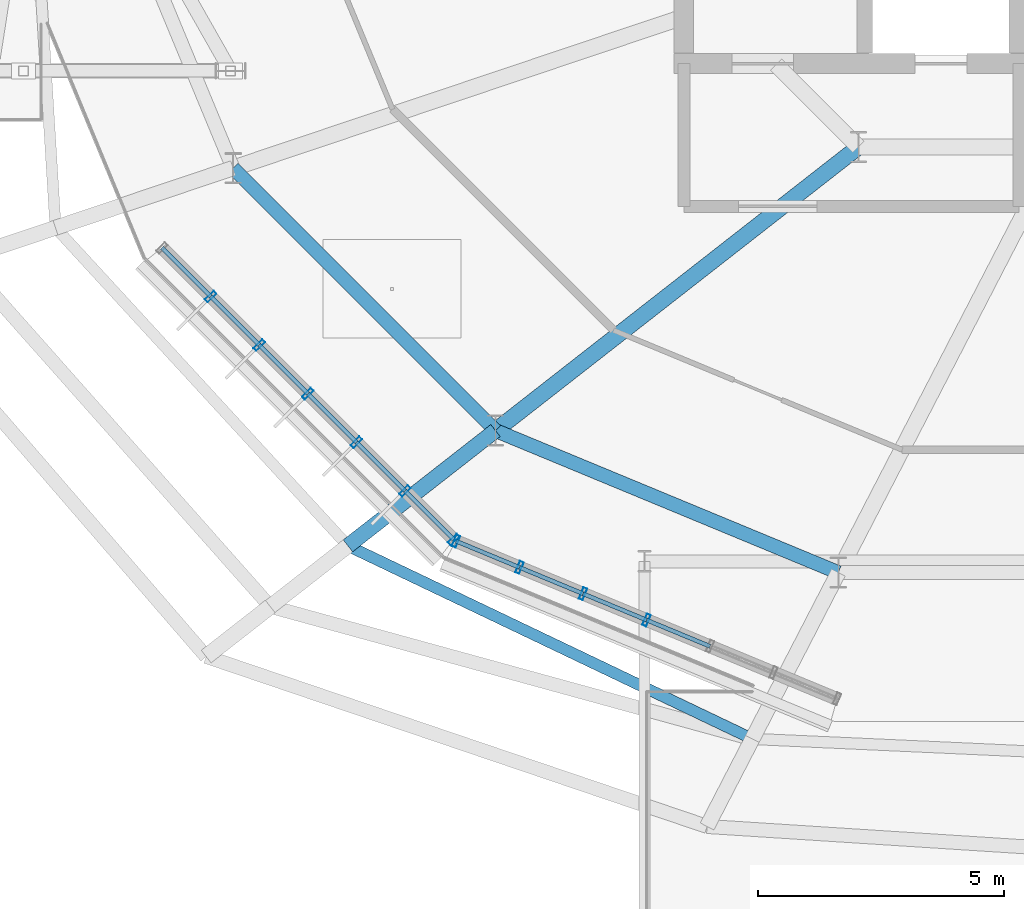
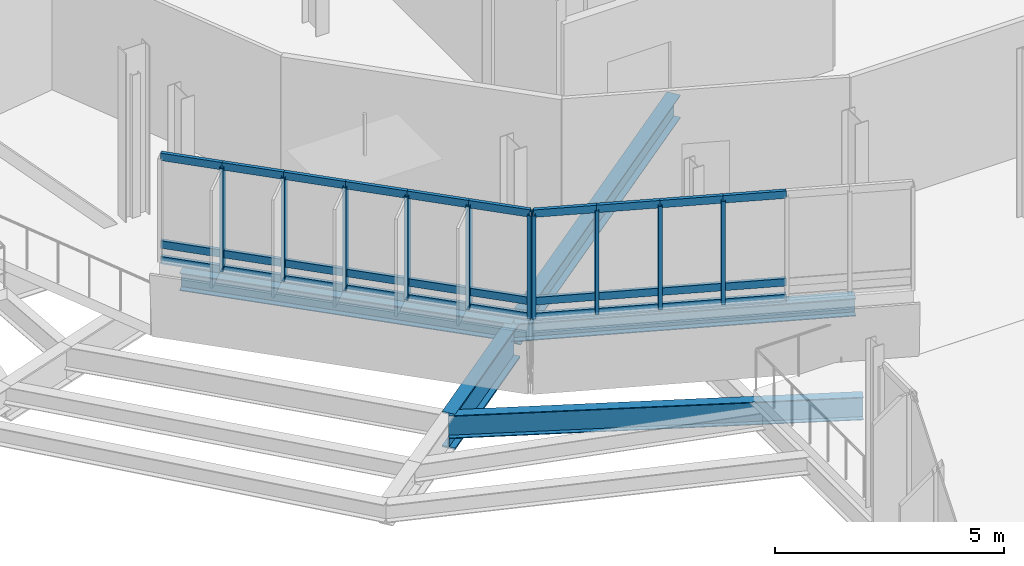
# One storey, part 27 of 139: 40 members, 5 beams, 2 elements without a shape of their own.
"""IFC4 building model written with IfcOpenShell, lengths in metres."""

from ifc_helpers import new_model, si_unit, derived_unit, direction, frame, origin, origin_2d, place, context, subcontext, project, spatial, hollow_rectangle, i_section, extrude, material, layer, layer_set, material_profile, profile_set, type_object, element, aggregate, save


model = new_model("IFC4")

# Units and contexts
model_context = context("Model", 3, precision=1e-05, world=origin(), true_north=direction((0.0, 1.0)))
body_context = subcontext(model_context, "Body", "Model", "MODEL_VIEW")
ifc_project = project(units=[si_unit("LENGTHUNIT", "METRE"), si_unit("AREAUNIT", "SQUARE_METRE"), si_unit("VOLUMEUNIT", "CUBIC_METRE"), si_unit("PLANEANGLEUNIT", "RADIAN"), si_unit("MASSUNIT", "GRAM", prefix="KILO"), derived_unit("THERMALTRANSMITTANCEUNIT", [(si_unit("MASSUNIT", "GRAM", prefix="KILO"), 1), (si_unit("TIMEUNIT", "SECOND"), -3), (si_unit("THERMODYNAMICTEMPERATUREUNIT", "KELVIN"), -1)])], contexts=[model_context])

# Site, building, storey
site_placement = place(None, origin())
site = spatial("IfcSite", under=ifc_project, at=site_placement, CompositionType="ELEMENT")
building_placement = place(site_placement, origin())
building = spatial("IfcBuilding", under=site, at=building_placement, Name="Makaiwela Harbour Ferry Terminal", CompositionType="ELEMENT")
storey_placement = place(building_placement, frame((0.0, 0.0, 5.10009765625)))
storey = spatial("IfcBuildingStorey", under=building, at=storey_placement, Name="L01", CompositionType="ELEMENT", Elevation=5.10009765625)

# Curtain wall, members
ifc_material_1 = material(Name="Marine anodised aluminium 6063-T6", Category="aluminium")
ifc_layer = layer(ifc_material_1, 0.199951171875)
ifc_layer_set = layer_set([ifc_layer], Name="Marine anodised aluminium 6063-T6")
curtain_wall_type = type_object("IfcCurtainWallType", Name="ENV-CW-03", PredefinedType="USERDEFINED", material=ifc_layer_set)
curtain_wall_1_placement = place(storey_placement, origin())
curtain_wall_1 = element("IfcCurtainWall", 1, at=curtain_wall_1_placement, inside=storey, type_object=curtain_wall_type, Name="Unitised Curtain Wall CWA-016", ObjectType="UNITIZED CURTAIN WALL", PredefinedType="USERDEFINED")
ifc_material_profile_1 = material_profile(ifc_material_1, hollow_rectangle(XDim=0.0849609375, YDim=0.25, WallThickness=0.0048828125, at=origin_2d()), Name="CWM-250X85")
ifc_profile_set_1 = profile_set([ifc_material_profile_1], Name="Marine anodised aluminium 6063-T6")
member_type_1 = type_object("IfcMemberType", Name="CW-MUL-250", PredefinedType="MULLION", material=ifc_profile_set_1)
member_1_placement = place(storey_placement, frame((20.59765625, 54.772216796875, 1.47998046875), z_axis=(0.0, 0.0, 1.0), x_axis=(-0.707106781187, 0.707106781187, 0.0)))
member_1 = element("IfcMember", 2, at=member_1_placement, type_object=member_type_1, Name="Curtain Wall Mullion CWA-016-2", PredefinedType="MULLION", context=body_context, shape_type="SweptSolid", body=[
    extrude(hollow_rectangle(XDim=0.0849609375, YDim=0.25, WallThickness=0.0048828125, at=origin_2d()), origin(), (0.0, 0.0, 1.0), 2.760009765625),
])
member_2_placement = place(storey_placement, frame((21.583740234375, 53.7861328125, 1.47998046875), z_axis=(0.0, 0.0, 1.0), x_axis=(-0.707106781187, 0.707106781187, 0.0)))
member_2 = element("IfcMember", 3, at=member_2_placement, type_object=member_type_1, Name="Curtain Wall Mullion CWA-016-3", PredefinedType="MULLION", context=body_context, shape_type="SweptSolid", body=[
    extrude(hollow_rectangle(XDim=0.0849609375, YDim=0.25, WallThickness=0.0048828125, at=origin_2d()), origin(), (0.0, 0.0, 1.0), 2.760009765625),
])
member_3_placement = place(storey_placement, frame((22.570068359375, 52.800048828125, 1.47998046875), z_axis=(0.0, 0.0, 1.0), x_axis=(-0.707106781187, 0.707106781187, 0.0)))
member_3 = element("IfcMember", 4, at=member_3_placement, type_object=member_type_1, Name="Curtain Wall Mullion CWA-016-4", PredefinedType="MULLION", context=body_context, shape_type="SweptSolid", body=[
    extrude(hollow_rectangle(XDim=0.0849609375, YDim=0.25, WallThickness=0.0048828125, at=origin_2d()), origin(), (0.0, 0.0, 1.0), 2.760009765625),
])
member_4_placement = place(storey_placement, frame((23.55615234375, 51.813720703125, 1.47998046875), z_axis=(0.0, 0.0, 1.0), x_axis=(-0.707106781187, 0.707106781187, 0.0)))
member_4 = element("IfcMember", 5, at=member_4_placement, type_object=member_type_1, Name="Curtain Wall Mullion CWA-016-5", PredefinedType="MULLION", context=body_context, shape_type="SweptSolid", body=[
    extrude(hollow_rectangle(XDim=0.0849609375, YDim=0.25, WallThickness=0.0048828125, at=origin_2d()), origin(), (0.0, 0.0, 1.0), 2.760009765625),
])
member_5_placement = place(storey_placement, frame((24.542236328125, 50.82763671875, 1.47998046875), z_axis=(0.0, 0.0, 1.0), x_axis=(-0.707106781187, 0.707106781187, 0.0)))
member_5 = element("IfcMember", 6, at=member_5_placement, type_object=member_type_1, Name="Curtain Wall Mullion CWA-016-6", PredefinedType="MULLION", context=body_context, shape_type="SweptSolid", body=[
    extrude(hollow_rectangle(XDim=0.0849609375, YDim=0.25, WallThickness=0.0048828125, at=origin_2d()), origin(), (0.0, 0.0, 1.0), 2.760009765625),
])
member_6_placement = place(storey_placement, frame((25.528564453125, 49.841552734375, 1.47998046875), z_axis=(0.0, 0.0, 1.0), x_axis=(-0.707106781187, 0.707106781187, 0.0)))
member_6 = element("IfcMember", 7, at=member_6_placement, type_object=member_type_1, Name="Curtain Wall Mullion CWA-016-7", PredefinedType="MULLION", context=body_context, shape_type="SweptSolid", body=[
    extrude(hollow_rectangle(XDim=0.0849609375, YDim=0.25, WallThickness=0.0048828125, at=origin_2d()), origin(), (0.0, 0.0, 1.0), 2.760009765625),
])

curtain_wall_2_placement = place(storey_placement, origin())
curtain_wall_2 = element("IfcCurtainWall", 8, at=curtain_wall_2_placement, inside=storey, type_object=curtain_wall_type, Name="Unitised Curtain Wall CWA-017", ObjectType="UNITIZED CURTAIN WALL", PredefinedType="USERDEFINED")
member_7_placement = place(storey_placement, frame((25.577392578125, 49.808837890625, 1.47998046875), z_axis=(0.0, 0.0, 1.0), x_axis=(-0.923879532511, 0.382683432365, 0.0)))
member_7 = element("IfcMember", 9, at=member_7_placement, type_object=member_type_1, Name="Curtain Wall Mullion CWA-017-1", PredefinedType="MULLION", context=body_context, shape_type="SweptSolid", body=[
    extrude(hollow_rectangle(XDim=0.0849609375, YDim=0.25, WallThickness=0.0048828125, at=origin_2d()), origin(), (0.0, 0.0, 1.0), 2.760009765625),
])
member_8_placement = place(storey_placement, frame((26.865966796875, 49.275146484375, 1.47998046875), z_axis=(0.0, 0.0, 1.0), x_axis=(-0.923879532511, 0.382683432365, 0.0)))
member_8 = element("IfcMember", 10, at=member_8_placement, type_object=member_type_1, Name="Curtain Wall Mullion CWA-017-2", PredefinedType="MULLION", context=body_context, shape_type="SweptSolid", body=[
    extrude(hollow_rectangle(XDim=0.0849609375, YDim=0.25, WallThickness=0.0048828125, at=origin_2d()), origin(), (0.0, 0.0, 1.0), 2.760009765625),
])
member_9_placement = place(storey_placement, frame((28.154296875, 48.741455078125, 1.47998046875), z_axis=(0.0, 0.0, 1.0), x_axis=(-0.923879532511, 0.382683432365, 0.0)))
member_9 = element("IfcMember", 11, at=member_9_placement, type_object=member_type_1, Name="Curtain Wall Mullion CWA-017-3", PredefinedType="MULLION", context=body_context, shape_type="SweptSolid", body=[
    extrude(hollow_rectangle(XDim=0.0849609375, YDim=0.25, WallThickness=0.0048828125, at=origin_2d()), origin(), (0.0, 0.0, 1.0), 2.760009765625),
])
member_10_placement = place(storey_placement, frame((29.44287109375, 48.207763671875, 1.47998046875), z_axis=(0.0, 0.0, 1.0), x_axis=(-0.923879532511, 0.382683432365, 0.0)))
member_10 = element("IfcMember", 12, at=member_10_placement, type_object=member_type_1, Name="Curtain Wall Mullion CWA-017-4", PredefinedType="MULLION", context=body_context, shape_type="SweptSolid", body=[
    extrude(hollow_rectangle(XDim=0.0849609375, YDim=0.25, WallThickness=0.0048828125, at=origin_2d()), origin(), (0.0, 0.0, 1.0), 2.760009765625),
])

# Member
ifc_material_profile_2 = material_profile(ifc_material_1, hollow_rectangle(XDim=0.0849609375, YDim=0.199951171875, WallThickness=0.0048828125, at=origin_2d()), Name="CWT-200X85")
ifc_profile_set_2 = profile_set([ifc_material_profile_2], Name="Marine anodised aluminium 6063-T6")
member_type_2 = type_object("IfcMemberType", Name="CW-TRN-200", PredefinedType="USERDEFINED", material=ifc_profile_set_2)
member_11_placement = place(storey_placement, frame((19.611572265625, 55.758544921875, 1.47998046875), z_axis=(0.707019251723, -0.707194299817, 0.0), x_axis=(0.707194299817, 0.707019251723, 0.0)))
member_11 = element("IfcMember", 13, at=member_11_placement, type_object=member_type_2, Name="Curtain Wall Transom CWA-016-1-1", ObjectType="TRANSOM", PredefinedType="USERDEFINED", context=body_context, shape_type="SweptSolid", body=[
    extrude(hollow_rectangle(XDim=0.0849609375, YDim=0.199951171875, WallThickness=0.0048828125, at=origin_2d()), origin(), (0.0, 0.0, 1.0), 1.394775390625),
])

member_12_placement = place(storey_placement, frame((19.611572265625, 55.758544921875, 1.89990234375), z_axis=(0.707019251723, -0.707194299817, 0.0), x_axis=(0.707194299817, 0.707019251723, 0.0)))
member_12 = element("IfcMember", 14, at=member_12_placement, type_object=member_type_2, Name="Curtain Wall Transom CWA-016-1-2", ObjectType="TRANSOM", PredefinedType="USERDEFINED", context=body_context, shape_type="SweptSolid", body=[
    extrude(hollow_rectangle(XDim=0.0849609375, YDim=0.199951171875, WallThickness=0.0048828125, at=origin_2d()), origin(), (0.0, 0.0, 1.0), 1.394775390625),
])

member_13_placement = place(storey_placement, frame((19.611572265625, 55.758544921875, 4.239990234375), z_axis=(0.707019251723, -0.707194299817, 0.0), x_axis=(0.707194299817, 0.707019251723, 0.0)))
member_13 = element("IfcMember", 15, at=member_13_placement, type_object=member_type_2, Name="Curtain Wall Transom CWA-016-1-3", ObjectType="TRANSOM", PredefinedType="USERDEFINED", context=body_context, shape_type="SweptSolid", body=[
    extrude(hollow_rectangle(XDim=0.0849609375, YDim=0.199951171875, WallThickness=0.0048828125, at=origin_2d()), origin(), (0.0, 0.0, 1.0), 1.394775390625),
])

member_14_placement = place(storey_placement, frame((20.59765625, 54.772216796875, 1.47998046875), z_axis=(0.707106781187, -0.707106781187, 0.0), x_axis=(0.707106781187, 0.707106781187, 0.0)))
member_14 = element("IfcMember", 16, at=member_14_placement, type_object=member_type_2, Name="Curtain Wall Transom CWA-016-2-1", ObjectType="TRANSOM", PredefinedType="USERDEFINED", context=body_context, shape_type="SweptSolid", body=[
    extrude(hollow_rectangle(XDim=0.0849609375, YDim=0.199951171875, WallThickness=0.0048828125, at=origin_2d()), origin(), (0.0, 0.0, 1.0), 1.39453125),
])

member_15_placement = place(storey_placement, frame((20.59765625, 54.772216796875, 1.89990234375), z_axis=(0.707106781187, -0.707106781187, 0.0), x_axis=(0.707106781187, 0.707106781187, 0.0)))
member_15 = element("IfcMember", 17, at=member_15_placement, type_object=member_type_2, Name="Curtain Wall Transom CWA-016-2-2", ObjectType="TRANSOM", PredefinedType="USERDEFINED", context=body_context, shape_type="SweptSolid", body=[
    extrude(hollow_rectangle(XDim=0.0849609375, YDim=0.199951171875, WallThickness=0.0048828125, at=origin_2d()), origin(), (0.0, 0.0, 1.0), 1.39453125),
])

member_16_placement = place(storey_placement, frame((20.59765625, 54.772216796875, 4.239990234375), z_axis=(0.707106781187, -0.707106781187, 0.0), x_axis=(0.707106781187, 0.707106781187, 0.0)))
member_16 = element("IfcMember", 18, at=member_16_placement, type_object=member_type_2, Name="Curtain Wall Transom CWA-016-2-3", ObjectType="TRANSOM", PredefinedType="USERDEFINED", context=body_context, shape_type="SweptSolid", body=[
    extrude(hollow_rectangle(XDim=0.0849609375, YDim=0.199951171875, WallThickness=0.0048828125, at=origin_2d()), origin(), (0.0, 0.0, 1.0), 1.39453125),
])

member_17_placement = place(storey_placement, frame((21.583740234375, 53.7861328125, 1.47998046875), z_axis=(0.707194299817, -0.707019251723, 0.0), x_axis=(0.707019251723, 0.707194299817, 0.0)))
member_17 = element("IfcMember", 19, at=member_17_placement, type_object=member_type_2, Name="Curtain Wall Transom CWA-016-3-1", ObjectType="TRANSOM", PredefinedType="USERDEFINED", context=body_context, shape_type="SweptSolid", body=[
    extrude(hollow_rectangle(XDim=0.0849609375, YDim=0.199951171875, WallThickness=0.0048828125, at=origin_2d()), origin(), (0.0, 0.0, 1.0), 1.394775390625),
])

member_18_placement = place(storey_placement, frame((21.583740234375, 53.7861328125, 1.89990234375), z_axis=(0.707194299817, -0.707019251723, 0.0), x_axis=(0.707019251723, 0.707194299817, 0.0)))
member_18 = element("IfcMember", 20, at=member_18_placement, type_object=member_type_2, Name="Curtain Wall Transom CWA-016-3-2", ObjectType="TRANSOM", PredefinedType="USERDEFINED", context=body_context, shape_type="SweptSolid", body=[
    extrude(hollow_rectangle(XDim=0.0849609375, YDim=0.199951171875, WallThickness=0.0048828125, at=origin_2d()), origin(), (0.0, 0.0, 1.0), 1.394775390625),
])

member_19_placement = place(storey_placement, frame((21.583740234375, 53.7861328125, 4.239990234375), z_axis=(0.707194299817, -0.707019251723, 0.0), x_axis=(0.707019251723, 0.707194299817, 0.0)))
member_19 = element("IfcMember", 21, at=member_19_placement, type_object=member_type_2, Name="Curtain Wall Transom CWA-016-3-3", ObjectType="TRANSOM", PredefinedType="USERDEFINED", context=body_context, shape_type="SweptSolid", body=[
    extrude(hollow_rectangle(XDim=0.0849609375, YDim=0.199951171875, WallThickness=0.0048828125, at=origin_2d()), origin(), (0.0, 0.0, 1.0), 1.394775390625),
])

member_20_placement = place(storey_placement, frame((22.570068359375, 52.800048828125, 1.47998046875), z_axis=(0.707019251723, -0.707194299817, 0.0), x_axis=(0.707194299817, 0.707019251723, 0.0)))
member_20 = element("IfcMember", 22, at=member_20_placement, type_object=member_type_2, Name="Curtain Wall Transom CWA-016-4-1", ObjectType="TRANSOM", PredefinedType="USERDEFINED", context=body_context, shape_type="SweptSolid", body=[
    extrude(hollow_rectangle(XDim=0.0849609375, YDim=0.199951171875, WallThickness=0.0048828125, at=origin_2d()), origin(), (0.0, 0.0, 1.0), 1.394775390625),
])

member_21_placement = place(storey_placement, frame((22.570068359375, 52.800048828125, 1.89990234375), z_axis=(0.707019251723, -0.707194299817, 0.0), x_axis=(0.707194299817, 0.707019251723, 0.0)))
member_21 = element("IfcMember", 23, at=member_21_placement, type_object=member_type_2, Name="Curtain Wall Transom CWA-016-4-2", ObjectType="TRANSOM", PredefinedType="USERDEFINED", context=body_context, shape_type="SweptSolid", body=[
    extrude(hollow_rectangle(XDim=0.0849609375, YDim=0.199951171875, WallThickness=0.0048828125, at=origin_2d()), origin(), (0.0, 0.0, 1.0), 1.394775390625),
])

member_22_placement = place(storey_placement, frame((22.570068359375, 52.800048828125, 4.239990234375), z_axis=(0.707019251723, -0.707194299817, 0.0), x_axis=(0.707194299817, 0.707019251723, 0.0)))
member_22 = element("IfcMember", 24, at=member_22_placement, type_object=member_type_2, Name="Curtain Wall Transom CWA-016-4-3", ObjectType="TRANSOM", PredefinedType="USERDEFINED", context=body_context, shape_type="SweptSolid", body=[
    extrude(hollow_rectangle(XDim=0.0849609375, YDim=0.199951171875, WallThickness=0.0048828125, at=origin_2d()), origin(), (0.0, 0.0, 1.0), 1.394775390625),
])

member_23_placement = place(storey_placement, frame((23.55615234375, 51.813720703125, 1.47998046875), z_axis=(0.707106781187, -0.707106781187, 0.0), x_axis=(0.707106781187, 0.707106781187, 0.0)))
member_23 = element("IfcMember", 25, at=member_23_placement, type_object=member_type_2, Name="Curtain Wall Transom CWA-016-5-1", ObjectType="TRANSOM", PredefinedType="USERDEFINED", context=body_context, shape_type="SweptSolid", body=[
    extrude(hollow_rectangle(XDim=0.0849609375, YDim=0.199951171875, WallThickness=0.0048828125, at=origin_2d()), origin(), (0.0, 0.0, 1.0), 1.39453125),
])

member_24_placement = place(storey_placement, frame((23.55615234375, 51.813720703125, 1.89990234375), z_axis=(0.707106781187, -0.707106781187, 0.0), x_axis=(0.707106781187, 0.707106781187, 0.0)))
member_24 = element("IfcMember", 26, at=member_24_placement, type_object=member_type_2, Name="Curtain Wall Transom CWA-016-5-2", ObjectType="TRANSOM", PredefinedType="USERDEFINED", context=body_context, shape_type="SweptSolid", body=[
    extrude(hollow_rectangle(XDim=0.0849609375, YDim=0.199951171875, WallThickness=0.0048828125, at=origin_2d()), origin(), (0.0, 0.0, 1.0), 1.39453125),
])

member_25_placement = place(storey_placement, frame((23.55615234375, 51.813720703125, 4.239990234375), z_axis=(0.707106781187, -0.707106781187, 0.0), x_axis=(0.707106781187, 0.707106781187, 0.0)))
member_25 = element("IfcMember", 27, at=member_25_placement, type_object=member_type_2, Name="Curtain Wall Transom CWA-016-5-3", ObjectType="TRANSOM", PredefinedType="USERDEFINED", context=body_context, shape_type="SweptSolid", body=[
    extrude(hollow_rectangle(XDim=0.0849609375, YDim=0.199951171875, WallThickness=0.0048828125, at=origin_2d()), origin(), (0.0, 0.0, 1.0), 1.39453125),
])

member_26_placement = place(storey_placement, frame((24.542236328125, 50.82763671875, 1.47998046875), z_axis=(0.707194299817, -0.707019251723, 0.0), x_axis=(0.707019251723, 0.707194299817, 0.0)))
member_26 = element("IfcMember", 28, at=member_26_placement, type_object=member_type_2, Name="Curtain Wall Transom CWA-016-6-1", ObjectType="TRANSOM", PredefinedType="USERDEFINED", context=body_context, shape_type="SweptSolid", body=[
    extrude(hollow_rectangle(XDim=0.0849609375, YDim=0.199951171875, WallThickness=0.0048828125, at=origin_2d()), origin(), (0.0, 0.0, 1.0), 1.394775390625),
])

member_27_placement = place(storey_placement, frame((24.542236328125, 50.82763671875, 1.89990234375), z_axis=(0.707194299817, -0.707019251723, 0.0), x_axis=(0.707019251723, 0.707194299817, 0.0)))
member_27 = element("IfcMember", 29, at=member_27_placement, type_object=member_type_2, Name="Curtain Wall Transom CWA-016-6-2", ObjectType="TRANSOM", PredefinedType="USERDEFINED", context=body_context, shape_type="SweptSolid", body=[
    extrude(hollow_rectangle(XDim=0.0849609375, YDim=0.199951171875, WallThickness=0.0048828125, at=origin_2d()), origin(), (0.0, 0.0, 1.0), 1.394775390625),
])

member_28_placement = place(storey_placement, frame((24.542236328125, 50.82763671875, 4.239990234375), z_axis=(0.707194299817, -0.707019251723, 0.0), x_axis=(0.707019251723, 0.707194299817, 0.0)))
member_28 = element("IfcMember", 30, at=member_28_placement, type_object=member_type_2, Name="Curtain Wall Transom CWA-016-6-3", ObjectType="TRANSOM", PredefinedType="USERDEFINED", context=body_context, shape_type="SweptSolid", body=[
    extrude(hollow_rectangle(XDim=0.0849609375, YDim=0.199951171875, WallThickness=0.0048828125, at=origin_2d()), origin(), (0.0, 0.0, 1.0), 1.394775390625),
])

aggregate(curtain_wall_1, [member_1, member_2, member_3, member_4, member_5, member_6, member_11, member_12, member_13, member_14, member_15, member_16, member_17, member_18, member_19, member_20, member_21, member_22, member_23, member_24, member_25, member_26, member_27, member_28])

member_29_placement = place(storey_placement, frame((25.577392578125, 49.808837890625, 1.47998046875), z_axis=(0.923893096707, -0.382650683858, 0.0), x_axis=(0.382650683858, 0.923893096707, 0.0)))
member_29 = element("IfcMember", 31, at=member_29_placement, type_object=member_type_2, Name="Curtain Wall Transom CWA-017-1-1", ObjectType="TRANSOM", PredefinedType="USERDEFINED", context=body_context, shape_type="SweptSolid", body=[
    extrude(hollow_rectangle(XDim=0.0849609375, YDim=0.199951171875, WallThickness=0.0048828125, at=origin_2d()), origin(), (0.0, 0.0, 1.0), 1.394775390625),
])

member_30_placement = place(storey_placement, frame((25.577392578125, 49.808837890625, 1.89990234375), z_axis=(0.923893096707, -0.382650683858, 0.0), x_axis=(0.382650683858, 0.923893096707, 0.0)))
member_30 = element("IfcMember", 32, at=member_30_placement, type_object=member_type_2, Name="Curtain Wall Transom CWA-017-1-2", ObjectType="TRANSOM", PredefinedType="USERDEFINED", context=body_context, shape_type="SweptSolid", body=[
    extrude(hollow_rectangle(XDim=0.0849609375, YDim=0.199951171875, WallThickness=0.0048828125, at=origin_2d()), origin(), (0.0, 0.0, 1.0), 1.394775390625),
])

member_31_placement = place(storey_placement, frame((25.577392578125, 49.808837890625, 4.239990234375), z_axis=(0.923893096707, -0.382650683858, 0.0), x_axis=(0.382650683858, 0.923893096707, 0.0)))
member_31 = element("IfcMember", 33, at=member_31_placement, type_object=member_type_2, Name="Curtain Wall Transom CWA-017-1-3", ObjectType="TRANSOM", PredefinedType="USERDEFINED", context=body_context, shape_type="SweptSolid", body=[
    extrude(hollow_rectangle(XDim=0.0849609375, YDim=0.199951171875, WallThickness=0.0048828125, at=origin_2d()), origin(), (0.0, 0.0, 1.0), 1.394775390625),
])

member_32_placement = place(storey_placement, frame((26.865966796875, 49.275146484375, 1.47998046875), z_axis=(0.923867459974, -0.382712576749, 0.0), x_axis=(0.382712576749, 0.923867459974, 0.0)))
member_32 = element("IfcMember", 34, at=member_32_placement, type_object=member_type_2, Name="Curtain Wall Transom CWA-017-2-1", ObjectType="TRANSOM", PredefinedType="USERDEFINED", context=body_context, shape_type="SweptSolid", body=[
    extrude(hollow_rectangle(XDim=0.0849609375, YDim=0.199951171875, WallThickness=0.0048828125, at=origin_2d()), origin(), (0.0, 0.0, 1.0), 1.39453125),
])

member_33_placement = place(storey_placement, frame((26.865966796875, 49.275146484375, 1.89990234375), z_axis=(0.923867459974, -0.382712576749, 0.0), x_axis=(0.382712576749, 0.923867459974, 0.0)))
member_33 = element("IfcMember", 35, at=member_33_placement, type_object=member_type_2, Name="Curtain Wall Transom CWA-017-2-2", ObjectType="TRANSOM", PredefinedType="USERDEFINED", context=body_context, shape_type="SweptSolid", body=[
    extrude(hollow_rectangle(XDim=0.0849609375, YDim=0.199951171875, WallThickness=0.0048828125, at=origin_2d()), origin(), (0.0, 0.0, 1.0), 1.39453125),
])

member_34_placement = place(storey_placement, frame((26.865966796875, 49.275146484375, 4.239990234375), z_axis=(0.923867459974, -0.382712576749, 0.0), x_axis=(0.382712576749, 0.923867459974, 0.0)))
member_34 = element("IfcMember", 36, at=member_34_placement, type_object=member_type_2, Name="Curtain Wall Transom CWA-017-2-3", ObjectType="TRANSOM", PredefinedType="USERDEFINED", context=body_context, shape_type="SweptSolid", body=[
    extrude(hollow_rectangle(XDim=0.0849609375, YDim=0.199951171875, WallThickness=0.0048828125, at=origin_2d()), origin(), (0.0, 0.0, 1.0), 1.39453125),
])

member_35_placement = place(storey_placement, frame((28.154296875, 48.741455078125, 1.47998046875), z_axis=(0.923893096707, -0.382650683858, 0.0), x_axis=(0.382650683858, 0.923893096707, 0.0)))
member_35 = element("IfcMember", 37, at=member_35_placement, type_object=member_type_2, Name="Curtain Wall Transom CWA-017-3-1", ObjectType="TRANSOM", PredefinedType="USERDEFINED", context=body_context, shape_type="SweptSolid", body=[
    extrude(hollow_rectangle(XDim=0.0849609375, YDim=0.199951171875, WallThickness=0.0048828125, at=origin_2d()), origin(), (0.0, 0.0, 1.0), 1.394775390625),
])

member_36_placement = place(storey_placement, frame((28.154296875, 48.741455078125, 1.89990234375), z_axis=(0.923893096707, -0.382650683858, 0.0), x_axis=(0.382650683858, 0.923893096707, 0.0)))
member_36 = element("IfcMember", 38, at=member_36_placement, type_object=member_type_2, Name="Curtain Wall Transom CWA-017-3-2", ObjectType="TRANSOM", PredefinedType="USERDEFINED", context=body_context, shape_type="SweptSolid", body=[
    extrude(hollow_rectangle(XDim=0.0849609375, YDim=0.199951171875, WallThickness=0.0048828125, at=origin_2d()), origin(), (0.0, 0.0, 1.0), 1.394775390625),
])

member_37_placement = place(storey_placement, frame((28.154296875, 48.741455078125, 4.239990234375), z_axis=(0.923893096707, -0.382650683858, 0.0), x_axis=(0.382650683858, 0.923893096707, 0.0)))
member_37 = element("IfcMember", 39, at=member_37_placement, type_object=member_type_2, Name="Curtain Wall Transom CWA-017-3-3", ObjectType="TRANSOM", PredefinedType="USERDEFINED", context=body_context, shape_type="SweptSolid", body=[
    extrude(hollow_rectangle(XDim=0.0849609375, YDim=0.199951171875, WallThickness=0.0048828125, at=origin_2d()), origin(), (0.0, 0.0, 1.0), 1.394775390625),
])

member_38_placement = place(storey_placement, frame((29.44287109375, 48.207763671875, 1.47998046875), z_axis=(0.923805549996, -0.382861993148, 0.0), x_axis=(0.382861993148, 0.923805549996, 0.0)))
member_38 = element("IfcMember", 40, at=member_38_placement, type_object=member_type_2, Name="Curtain Wall Transom CWA-017-4-1", ObjectType="TRANSOM", PredefinedType="USERDEFINED", context=body_context, shape_type="SweptSolid", body=[
    extrude(hollow_rectangle(XDim=0.0849609375, YDim=0.199951171875, WallThickness=0.0048828125, at=origin_2d()), origin(), (0.0, 0.0, 1.0), 1.39453125),
])

member_39_placement = place(storey_placement, frame((29.44287109375, 48.207763671875, 1.89990234375), z_axis=(0.923805549996, -0.382861993148, 0.0), x_axis=(0.382861993148, 0.923805549996, 0.0)))
member_39 = element("IfcMember", 41, at=member_39_placement, type_object=member_type_2, Name="Curtain Wall Transom CWA-017-4-2", ObjectType="TRANSOM", PredefinedType="USERDEFINED", context=body_context, shape_type="SweptSolid", body=[
    extrude(hollow_rectangle(XDim=0.0849609375, YDim=0.199951171875, WallThickness=0.0048828125, at=origin_2d()), origin(), (0.0, 0.0, 1.0), 1.39453125),
])

member_40_placement = place(storey_placement, frame((29.44287109375, 48.207763671875, 4.239990234375), z_axis=(0.923805549996, -0.382861993148, 0.0), x_axis=(0.382861993148, 0.923805549996, 0.0)))
member_40 = element("IfcMember", 42, at=member_40_placement, type_object=member_type_2, Name="Curtain Wall Transom CWA-017-4-3", ObjectType="TRANSOM", PredefinedType="USERDEFINED", context=body_context, shape_type="SweptSolid", body=[
    extrude(hollow_rectangle(XDim=0.0849609375, YDim=0.199951171875, WallThickness=0.0048828125, at=origin_2d()), origin(), (0.0, 0.0, 1.0), 1.39453125),
])

aggregate(curtain_wall_2, [member_7, member_8, member_9, member_10, member_29, member_30, member_31, member_32, member_33, member_34, member_35, member_36, member_37, member_38, member_39, member_40])

# Beams
ifc_material_2 = material(Name="Steel ASTM A992 Grade 50", Category="steel")
ifc_material_profile_3 = material_profile(ifc_material_2, i_section(OverallWidth=0.324951171875, OverallDepth=0.615966796875, WebThickness=0.013916015625, FlangeThickness=0.021484375, at=origin_2d()), Name="W24X117")
ifc_profile_set_3 = profile_set([ifc_material_profile_3], Name="Steel ASTM A992 Grade 50")
beam_type_1 = type_object("IfcBeamType", Name="STR-GRD-W24X117", PredefinedType="USERDEFINED", material=ifc_profile_set_3)
beam_1_placement = place(storey_placement, frame((33.74365234375, 57.806884765625, -0.588134765625), z_axis=(-0.78804813165, -0.615613630618, 0.0), x_axis=(0.615613630618, -0.78804813165, 0.0)))
element("IfcBeam", 43, at=beam_1_placement, inside=storey, type_object=beam_type_1, Name="Drum radial girder 59", ObjectType="GIRDER", PredefinedType="USERDEFINED", context=body_context, shape_type="SweptSolid", body=[
    extrude(i_section(OverallWidth=0.324951171875, OverallDepth=0.615966796875, WebThickness=0.013916015625, FlangeThickness=0.021484375, at=origin_2d()), origin(), (0.0, 0.0, 1.0), 9.347412109375),
])
ifc_material_profile_4 = material_profile(ifc_material_2, i_section(OverallWidth=0.22900390625, OverallDepth=0.612060546875, WebThickness=0.011962890625, FlangeThickness=0.01953125, at=origin_2d()), Name="W24X84")
ifc_profile_set_4 = profile_set([ifc_material_profile_4], Name="Steel ASTM A992 Grade 50")
beam_type_2 = type_object("IfcBeamType", Name="STR-GRD-W24X84", PredefinedType="USERDEFINED", material=ifc_profile_set_4)
beam_2_placement = place(storey_placement, frame((23.3828125, 49.71337890625, -0.586181640625), z_axis=(0.902434308602, -0.430827481316, 0.0), x_axis=(0.430827481316, 0.902434308602, 0.0)))
element("IfcBeam", 44, at=beam_2_placement, inside=storey, type_object=beam_type_2, Name="Drum overhang tie girder 96", ObjectType="GIRDER", PredefinedType="USERDEFINED", context=body_context, shape_type="SweptSolid", body=[
    extrude(i_section(OverallWidth=0.22900390625, OverallDepth=0.612060546875, WebThickness=0.011962890625, FlangeThickness=0.01953125, at=origin_2d()), origin(), (0.0, 0.0, 1.0), 9.093994140625),
])
ifc_material_profile_5 = material_profile(ifc_material_2, i_section(OverallWidth=0.31005859375, OverallDepth=0.949951171875, WebThickness=0.0244140625, FlangeThickness=0.0439453125, at=origin_2d()), Name="W36X256")
ifc_profile_set_5 = profile_set([ifc_material_profile_5], Name="Steel ASTM A992 Grade 50")
beam_type_3 = type_object("IfcBeamType", Name="STR-GRD-W36X256", PredefinedType="USERDEFINED", material=ifc_profile_set_5)
beam_3_placement = place(storey_placement, frame((26.37744140625, 52.052490234375, -0.755126953125), z_axis=(-0.788080866077, -0.615571724921, 0.0), x_axis=(0.615571724921, -0.788080866077, 0.0)))
element("IfcBeam", 45, at=beam_3_placement, inside=storey, type_object=beam_type_3, Name="Drum radial overhang 60", ObjectType="GIRDER", PredefinedType="USERDEFINED", context=body_context, shape_type="SweptSolid", body=[
    extrude(i_section(OverallWidth=0.31005859375, OverallDepth=0.949951171875, WebThickness=0.0244140625, FlangeThickness=0.0439453125, at=origin_2d()), origin(), (0.0, 0.0, 1.0), 3.7998046875),
])
ifc_material_profile_6 = material_profile(ifc_material_2, i_section(OverallWidth=0.283935546875, OverallDepth=0.47607421875, WebThickness=0.014892578125, FlangeThickness=0.02392578125, at=origin_2d()), Name="W18X106")
ifc_profile_set_6 = profile_set([ifc_material_profile_6], Name="Steel ASTM A992 Grade 50")
beam_type_4 = type_object("IfcBeamType", Name="STR-SPN-W18X106", PredefinedType="SPANDREL", material=ifc_profile_set_6)
for number, where, z_axis, x_axis, name in (
    (46, (21.052490234375, 57.37744140625, -0.51806640625), (0.707106781187, -0.707106781187, 0.0), (0.707106781187, 0.707106781187, 0.0), "Drum column ring girder 21"),
    (47, (26.37744140625, 52.052490234375, -0.51806640625), (0.92388920519, -0.382660079618, 0.0), (0.382660079618, 0.92388920519, 0.0), "Drum column ring girder 22"),
):
    element("IfcBeam", number, at=place(storey_placement, frame(where, z_axis=z_axis, x_axis=x_axis)), inside=storey, type_object=beam_type_4, Name=name, PredefinedType="SPANDREL", context=body_context, shape_type="SweptSolid", body=[
        extrude(i_section(OverallWidth=0.283935546875, OverallDepth=0.47607421875, WebThickness=0.014892578125, FlangeThickness=0.02392578125, at=origin_2d()), origin(), (0.0, 0.0, 1.0), 7.530517578125),
    ])

save(model, "model.ifc")
